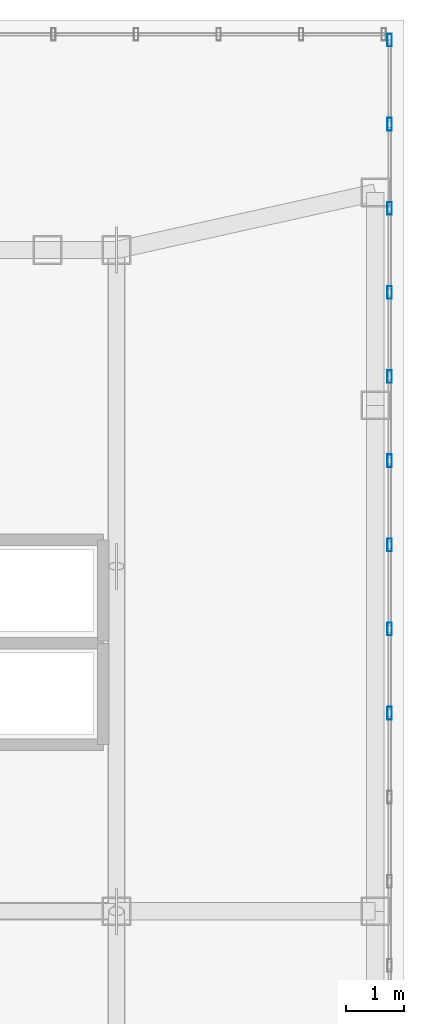
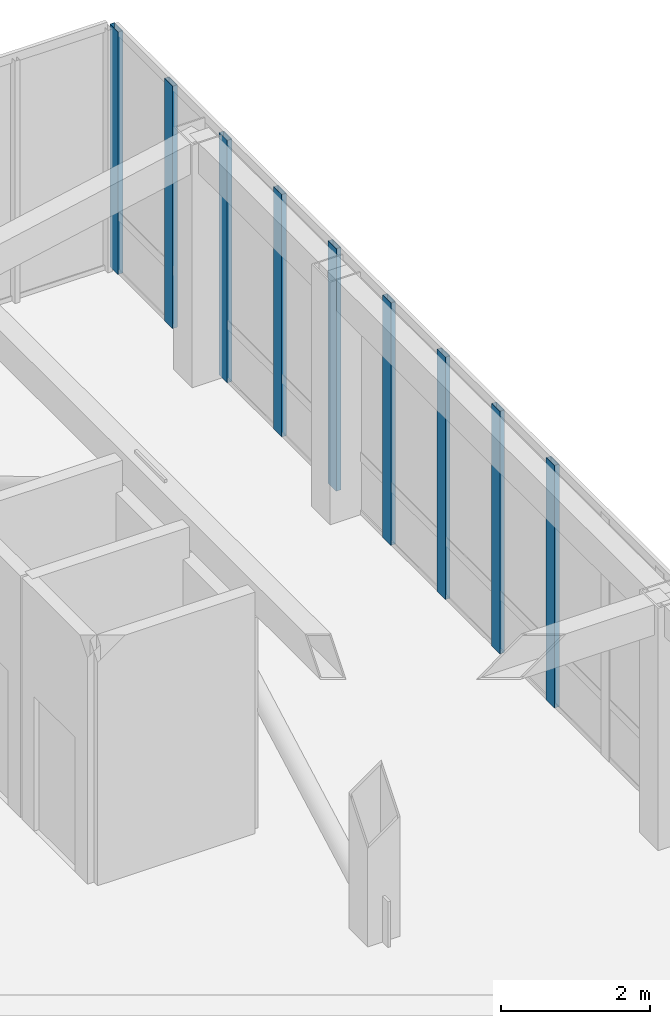
# One storey, part 10 of 13: 9 members, 1 element without a shape of its own.
"""IFC4 building model written with IfcOpenShell, lengths in metres."""

from ifc_helpers import new_model, si_unit, direction, frame, origin, origin_2d, place, context, subcontext, project, spatial, hollow_rectangle, extrude, source, transform, mapped, material, layer, layer_set, material_profile, profile_set, type_object, element, aggregate, save


model = new_model("IFC4")

# Units and contexts
model_context = context("Model", 3, precision=1e-05, world=origin(), true_north=direction((0.0, 1.0)))
body_context = subcontext(model_context, "Body", "Model", "MODEL_VIEW")
ifc_project = project(units=[si_unit("LENGTHUNIT", "METRE"), si_unit("AREAUNIT", "SQUARE_METRE"), si_unit("VOLUMEUNIT", "CUBIC_METRE"), si_unit("PLANEANGLEUNIT", "RADIAN"), si_unit("MASSUNIT", "GRAM", prefix="KILO")], contexts=[model_context])

# Site, building, storey
site_placement = place(None, origin())
site = spatial("IfcSite", under=ifc_project, at=site_placement, CompositionType="ELEMENT")
building_placement = place(site_placement, origin())
building = spatial("IfcBuilding", under=site, at=building_placement, Name="Kharzan Plaza Tower", CompositionType="ELEMENT")
storey_placement = place(building_placement, frame((0.0, 0.0, 289.800048828125)))
storey = spatial("IfcBuildingStorey", under=building, at=storey_placement, Name="L78-CROWN", CompositionType="ELEMENT", Elevation=289.800048828125)

# Curtain wall, members
ifc_material_1 = material(Name="Unitised Bronze-Anodized Aluminium and Low-E Glass", Category="aluminium")
ifc_layer = layer(ifc_material_1, 0.199951171875)
ifc_layer_set = layer_set([ifc_layer], Name="Unitised Bronze-Anodized Aluminium and Low-E Glass")
curtain_wall_type = type_object("IfcCurtainWallType", Name="CW-LANTERN-6", PredefinedType="NOTDEFINED", material=ifc_layer_set)
curtain_wall_placement = place(storey_placement, origin())
curtain_wall = element("IfcCurtainWall", 1, at=curtain_wall_placement, inside=storey, type_object=curtain_wall_type, Name="L78-CROWN Lantern Crown Illuminated Curtain Wall 2", PredefinedType="NOTDEFINED")
ifc_material_2 = material(Name="Anodized Bronze Aluminium", Category="aluminium")
ifc_material_profile = material_profile(ifc_material_2, hollow_rectangle(XDim=0.074951171875, YDim=0.219970703125, WallThickness=0.00390625, at=origin_2d()), Name="ALU-M220x75x4")
ifc_profile_set = profile_set([ifc_material_profile], Name="Anodized Bronze Aluminium")
member_type = type_object("IfcMemberType", Name="MEM-CW-MUL200", PredefinedType="MULLION", material=ifc_profile_set)
shared_shape = source(origin(), body_context, "Body", "SweptSolid", [
    extrude(hollow_rectangle(XDim=0.074951171875, YDim=0.219970703125, WallThickness=0.00390625, at=origin_2d()), origin(), (0.0, 0.0, 1.0), 3.969970703125),
])
member_1_placement = place(storey_placement, frame((19.25, 21.444580078125, 0.0), z_axis=(0.0, 0.0, 1.0), x_axis=(1.0, 0.0, 0.0)))
member_1 = element("IfcMember", 2, at=member_1_placement, type_object=member_type, Name="L78-CROWN Curtain-Wall Mullion 11", PredefinedType="MULLION", context=body_context, shape_type="MappedRepresentation", body=[
    mapped(shared_shape, transform((0.0, 0.0, 0.0), x_axis=(1.0, 0.0, 0.0), y_axis=(0.0, 1.0, 0.0), z_axis=(0.0, 0.0, 1.0))),
])
member_2_placement = place(storey_placement, frame((19.25, 22.907958984375, 0.0), z_axis=(0.0, 0.0, 1.0), x_axis=(1.0, 0.0, 0.0)))
member_2 = element("IfcMember", 3, at=member_2_placement, type_object=member_type, Name="L78-CROWN Curtain-Wall Mullion 12", PredefinedType="MULLION", context=body_context, shape_type="MappedRepresentation", body=[
    mapped(shared_shape, transform((0.0, 0.0, 0.0), x_axis=(1.0, 0.0, 0.0), y_axis=(0.0, 1.0, 0.0), z_axis=(0.0, 0.0, 1.0))),
])
member_3_placement = place(storey_placement, frame((19.25, 24.37109375, 0.0), z_axis=(0.0, 0.0, 1.0), x_axis=(1.0, 0.0, 0.0)))
member_3 = element("IfcMember", 4, at=member_3_placement, type_object=member_type, Name="L78-CROWN Curtain-Wall Mullion 13", PredefinedType="MULLION", context=body_context, shape_type="MappedRepresentation", body=[
    mapped(shared_shape, transform((0.0, 0.0, 0.0), x_axis=(1.0, 0.0, 0.0), y_axis=(0.0, 1.0, 0.0), z_axis=(0.0, 0.0, 1.0))),
])
member_4_placement = place(storey_placement, frame((19.25, 25.834228515625, 0.0), z_axis=(0.0, 0.0, 1.0), x_axis=(1.0, 0.0, 0.0)))
member_4 = element("IfcMember", 5, at=member_4_placement, type_object=member_type, Name="L78-CROWN Curtain-Wall Mullion 14", PredefinedType="MULLION", context=body_context, shape_type="MappedRepresentation", body=[
    mapped(shared_shape, transform((0.0, 0.0, 0.0), x_axis=(1.0, 0.0, 0.0), y_axis=(0.0, 1.0, 0.0), z_axis=(0.0, 0.0, 1.0))),
])
member_5_placement = place(storey_placement, frame((19.25, 27.29736328125, 0.0), z_axis=(0.0, 0.0, 1.0), x_axis=(1.0, 0.0, 0.0)))
member_5 = element("IfcMember", 6, at=member_5_placement, type_object=member_type, Name="L78-CROWN Curtain-Wall Mullion 15", PredefinedType="MULLION", context=body_context, shape_type="MappedRepresentation", body=[
    mapped(shared_shape, transform((0.0, 0.0, 0.0), x_axis=(1.0, 0.0, 0.0), y_axis=(0.0, 1.0, 0.0), z_axis=(0.0, 0.0, 1.0))),
])
member_6_placement = place(storey_placement, frame((19.25, 28.760498046875, 0.0), z_axis=(0.0, 0.0, 1.0), x_axis=(1.0, 0.0, 0.0)))
member_6 = element("IfcMember", 7, at=member_6_placement, type_object=member_type, Name="L78-CROWN Curtain-Wall Mullion 16", PredefinedType="MULLION", context=body_context, shape_type="MappedRepresentation", body=[
    mapped(shared_shape, transform((0.0, 0.0, 0.0), x_axis=(1.0, 0.0, 0.0), y_axis=(0.0, 1.0, 0.0), z_axis=(0.0, 0.0, 1.0))),
])
member_7_placement = place(storey_placement, frame((19.25, 30.2236328125, 0.0), z_axis=(0.0, 0.0, 1.0), x_axis=(1.0, 0.0, 0.0)))
member_7 = element("IfcMember", 8, at=member_7_placement, type_object=member_type, Name="L78-CROWN Curtain-Wall Mullion 17", PredefinedType="MULLION", context=body_context, shape_type="MappedRepresentation", body=[
    mapped(shared_shape, transform((0.0, 0.0, 0.0), x_axis=(1.0, 0.0, 0.0), y_axis=(0.0, 1.0, 0.0), z_axis=(0.0, 0.0, 1.0))),
])
member_8_placement = place(storey_placement, frame((19.25, 31.686767578125, 0.0), z_axis=(0.0, 0.0, 1.0), x_axis=(1.0, 0.0, 0.0)))
member_8 = element("IfcMember", 9, at=member_8_placement, type_object=member_type, Name="L78-CROWN Curtain-Wall Mullion 18", PredefinedType="MULLION", context=body_context, shape_type="MappedRepresentation", body=[
    mapped(shared_shape, transform((0.0, 0.0, 0.0), x_axis=(1.0, 0.0, 0.0), y_axis=(0.0, 1.0, 0.0), z_axis=(0.0, 0.0, 1.0))),
])
member_9_placement = place(storey_placement, frame((19.25, 33.14990234375, 0.0), z_axis=(0.0, 0.0, 1.0), x_axis=(1.0, 0.0, 0.0)))
member_9 = element("IfcMember", 10, at=member_9_placement, type_object=member_type, Name="L78-CROWN Curtain-Wall Mullion 19", PredefinedType="MULLION", context=body_context, shape_type="MappedRepresentation", body=[
    mapped(shared_shape, transform((0.0, 0.0, 0.0), x_axis=(1.0, 0.0, 0.0), y_axis=(0.0, 1.0, 0.0), z_axis=(0.0, 0.0, 1.0))),
])
aggregate(curtain_wall, [member_1, member_2, member_3, member_4, member_5, member_6, member_7, member_8, member_9])

save(model, "model.ifc")
